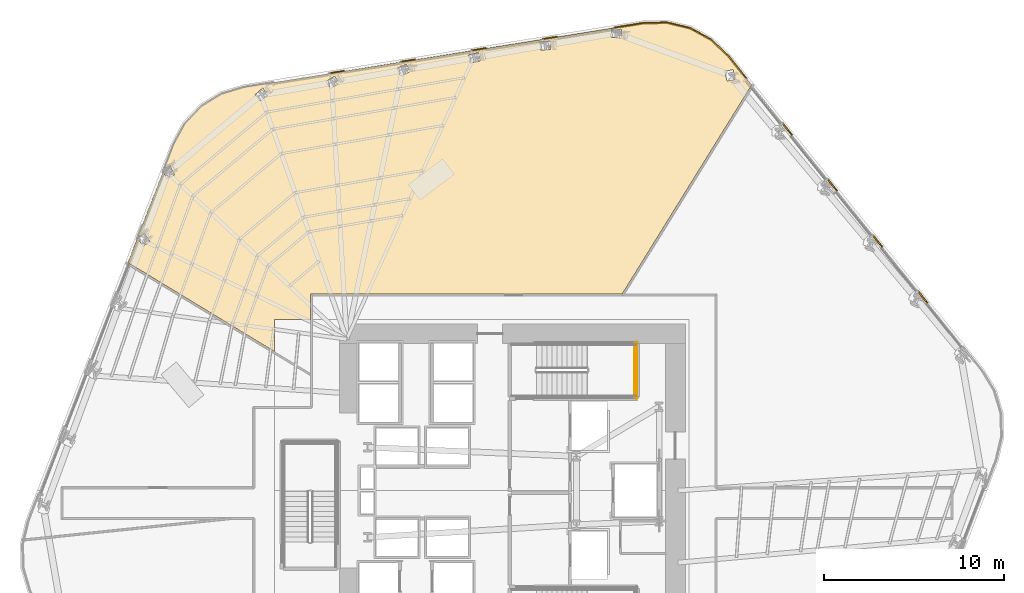
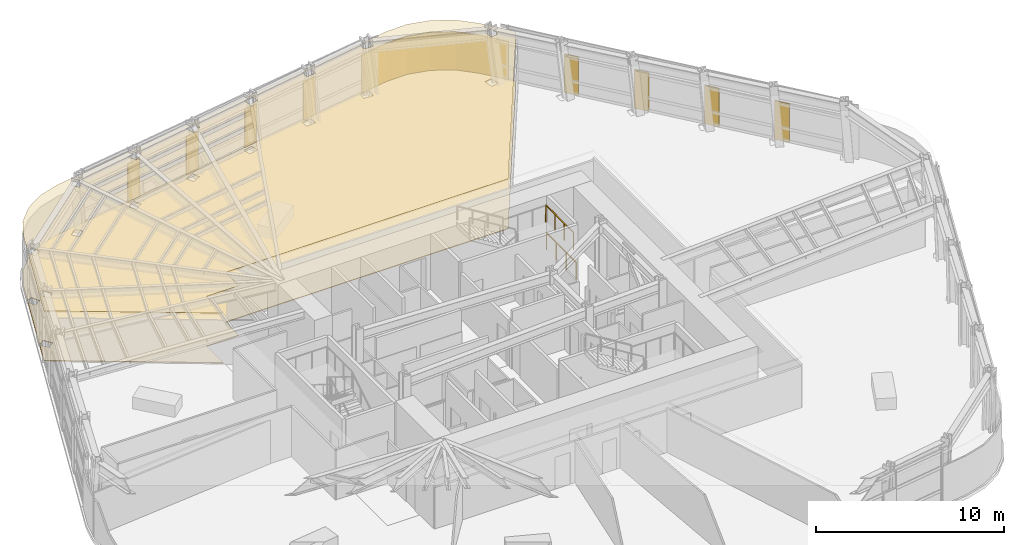
# One storey, part 15 of 16: 11 coverings, 2 railings.
"""IFC4 building model written with IfcOpenShell, lengths in metres."""

from ifc_helpers import new_model, si_unit, direction, frame, origin, origin_2d, place, context, subcontext, project, spatial, polyline, circle, outline, extrude, material, layer, layer_set, type_object, element, save


model = new_model("IFC4")

# Units and contexts
model_context = context("Model", 3, precision=1e-05, world=origin(), true_north=direction((0.0, 1.0)))
body_context = subcontext(model_context, "Body", "Model", "MODEL_VIEW")
ifc_project = project(units=[si_unit("LENGTHUNIT", "METRE"), si_unit("AREAUNIT", "SQUARE_METRE"), si_unit("VOLUMEUNIT", "CUBIC_METRE"), si_unit("PLANEANGLEUNIT", "RADIAN"), si_unit("MASSUNIT", "GRAM", prefix="KILO")], contexts=[model_context])

# Site, building, storey
site_placement = place(None, origin())
site = spatial("IfcSite", under=ifc_project, at=site_placement, CompositionType="ELEMENT")
building_placement = place(site_placement, origin())
building = spatial("IfcBuilding", under=site, at=building_placement, Name="Valkerne Bourse Tower", CompositionType="ELEMENT")
storey_placement = place(building_placement, frame((0.0, 0.0, 62.0)))
storey = spatial("IfcBuildingStorey", under=building, at=storey_placement, Name="L15", CompositionType="ELEMENT", Elevation=62.0)

# Coverings
ifc_material_1 = material(Name="Mineral Fiber Acoustic Ceiling Tile", Category="acoustic")
ifc_layer_1 = layer(ifc_material_1, 0.02490234375)
ifc_layer_set_1 = layer_set([ifc_layer_1], Name="Mineral Fiber Acoustic Ceiling Tile")
covering_type_1 = type_object("IfcCoveringType", Name="COV-CEIL-ACT", PredefinedType="CEILING", material=ifc_layer_set_1)
covering_1_placement = place(storey_placement, frame((0.0, 0.0, 3.22998046875)))
element("IfcCovering", 1, at=covering_1_placement, inside=storey, type_object=covering_type_1, Name="L15 Suspended Ceiling 08", PredefinedType="CEILING", context=body_context, shape_type="SweptSolid", body=[
    extrude(outline(polyline([(29.52490234375, 48.3330078125), (30.650146484375, 49.0224609375), (31.924560546875, 49.39990234375), (54.04248046875, 52.94384765625), (55.370849609375, 52.978759765625), (56.654052734375, 52.670654296875), (57.813720703125, 52.041015625), (58.777587890625, 51.126220703125), (60.08056640625, 49.51123046875), (52.89697265625, 37.9189453125), (35.632568359375, 37.9169921875), (35.5947265625, 37.8916015625), (35.5810546875, 37.8505859375), (35.5810546875, 36.5), (33.60009765625, 36.5), (33.60009765625, 34.7119140625), (25.453125, 39.65380859375), (25.982421875, 41.025146484375), (26.2919921875, 40.5751953125), (26.668212890625, 40.832275390625), (26.670166015625, 40.835205078125), (26.354736328125, 41.293212890625), (25.989501953125, 41.043701171875), (27.4189453125, 44.74755859375), (27.620849609375, 44.33349609375), (28.03076171875, 44.531494140625), (28.033447265625, 44.5341796875), (27.789794921875, 45.0341796875), (27.469970703125, 44.8798828125), (27.982421875, 46.20751953125), (28.61669921875, 47.375732421875), (29.52490234375, 48.3330078125)]), holes=[polyline([(32.820068359375, 48.634765625), (33.2373046875, 48.998291015625), (32.9375, 49.34375), (32.93408203125, 49.341796875), (32.51708984375, 48.978271484375), (32.81689453125, 48.6328125), (32.820068359375, 48.634765625)]), polyline([(36.7060546875, 49.3251953125), (37.173095703125, 49.622802734375), (36.927734375, 50.0087890625), (36.92431640625, 50.007568359375), (36.45751953125, 49.7099609375), (36.70263671875, 49.323486328125), (36.7060546875, 49.3251953125)]), polyline([(40.59033203125, 50.02490234375), (41.099365234375, 50.243896484375), (40.919189453125, 50.664306640625), (40.916015625, 50.66357421875), (40.406982421875, 50.44482421875), (40.5869140625, 50.024169921875), (40.59033203125, 50.02490234375)]), polyline([(45.015869140625, 50.865966796875), (44.907958984375, 51.310546875), (44.904296875, 51.310302734375), (44.366455078125, 51.1787109375), (44.474365234375, 50.734130859375), (44.477783203125, 50.734619140625), (45.015869140625, 50.865966796875)]), polyline([(48.924560546875, 51.493896484375), (48.889404296875, 51.9501953125), (48.8857421875, 51.9501953125), (48.333740234375, 51.906982421875), (48.368896484375, 51.45068359375), (48.37255859375, 51.450439453125), (48.924560546875, 51.493896484375)]), polyline([(52.86181640625, 52.58642578125), (52.85791015625, 52.58740234375), (52.305908203125, 52.626708984375), (52.272705078125, 52.17041015625), (52.2763671875, 52.16943359375), (52.828369140625, 52.130126953125), (52.86181640625, 52.58642578125)]), polyline([(59.15869140625, 49.822265625), (59.053955078125, 50.36767578125), (59.05078125, 50.369384765625), (58.603271484375, 50.281005859375), (58.7080078125, 49.735595703125), (58.711181640625, 49.73388671875), (59.15869140625, 49.822265625)])]), origin(), (0.0, 0.0, 1.0), 0.02490234375),
])
ifc_material_2 = material(Name="Bronze Anodised Aluminium AA 6063-T6", Category="aluminium")
ifc_layer_2 = layer(ifc_material_2, 0.06005859375)
ifc_layer_set_2 = layer_set([ifc_layer_2], Name="Bronze Anodised Aluminium AA 6063-T6")
covering_type_2 = type_object("IfcCoveringType", Name="COV-CRN-ALUM", PredefinedType="CLADDING", material=ifc_layer_set_2)
covering_2_placement = place(storey_placement, origin())
element("IfcCovering", 2, at=covering_2_placement, inside=storey, type_object=covering_type_2, Name="L15 Wind-Shaped Corner Aluminium Cladding 17", PredefinedType="CLADDING", context=body_context, shape_type="SweptSolid", body=[
    extrude(outline(polyline([(37.461181640625, 50.33154296875), (37.4736328125, 50.252685546875), (36.644287109375, 50.11962890625), (36.631591796875, 50.19873046875), (37.461181640625, 50.33154296875)])), origin(), (0.0, 0.0, 1.0), 2.5),
])
covering_3_placement = place(storey_placement, origin())
element("IfcCovering", 3, at=covering_3_placement, inside=storey, type_object=covering_type_2, Name="L15 Wind-Shaped Corner Aluminium Cladding 18", PredefinedType="CLADDING", context=body_context, shape_type="SweptSolid", body=[
    extrude(outline(polyline([(41.40673828125, 50.9638671875), (41.419189453125, 50.884765625), (40.58984375, 50.751953125), (40.577392578125, 50.830810546875), (41.40673828125, 50.9638671875)])), origin(), (0.0, 0.0, 1.0), 2.5),
])
covering_4_placement = place(storey_placement, origin())
element("IfcCovering", 4, at=covering_4_placement, inside=storey, type_object=covering_type_2, Name="L15 Wind-Shaped Corner Aluminium Cladding 19", PredefinedType="CLADDING", context=body_context, shape_type="SweptSolid", body=[
    extrude(outline(polyline([(45.352294921875, 51.595947265625), (45.364990234375, 51.51708984375), (44.53564453125, 51.384033203125), (44.523193359375, 51.463134765625), (45.352294921875, 51.595947265625)])), origin(), (0.0, 0.0, 1.0), 2.5),
])
covering_5_placement = place(storey_placement, origin())
element("IfcCovering", 5, at=covering_5_placement, inside=storey, type_object=covering_type_2, Name="L15 Wind-Shaped Corner Aluminium Cladding 20", PredefinedType="CLADDING", context=body_context, shape_type="SweptSolid", body=[
    extrude(outline(polyline([(49.298095703125, 52.228271484375), (49.310546875, 52.149169921875), (48.481201171875, 52.016357421875), (48.46875, 52.095458984375), (49.298095703125, 52.228271484375)])), origin(), (0.0, 0.0, 1.0), 2.5),
])
covering_6_placement = place(storey_placement, origin())
element("IfcCovering", 6, at=covering_6_placement, inside=storey, type_object=covering_type_2, Name="L15 Wind-Shaped Corner Aluminium Cladding 21", PredefinedType="CLADDING", context=body_context, shape_type="SweptSolid", body=[
    extrude(outline(polyline([(54.038330078125, 52.98779296875), (55.37548828125, 53.02294921875), (56.669921875, 52.712158203125), (57.83984375, 52.076904296875), (58.81005859375, 51.156005859375), (59.8427734375, 49.876220703125), (59.780517578125, 49.82568359375), (58.751220703125, 51.101806640625), (57.79248046875, 52.01171875), (56.64111328125, 52.63671875), (55.3671875, 52.942626953125), (54.0458984375, 52.907958984375), (52.427001953125, 52.648681640625), (52.414306640625, 52.7275390625), (54.038330078125, 52.98779296875)])), origin(), (0.0, 0.0, 1.0), 2.5),
])
covering_7_placement = place(storey_placement, origin())
element("IfcCovering", 7, at=covering_7_placement, inside=storey, type_object=covering_type_2, Name="L15 Wind-Shaped Corner Aluminium Cladding 22", PredefinedType="CLADDING", context=body_context, shape_type="SweptSolid", body=[
    extrude(outline(polyline([(62.351806640625, 46.76611328125), (62.289794921875, 46.7158203125), (61.76220703125, 47.36962890625), (61.824462890625, 47.419921875), (62.351806640625, 46.76611328125)])), origin(), (0.0, 0.0, 1.0), 2.5),
])
covering_8_placement = place(storey_placement, origin())
element("IfcCovering", 8, at=covering_8_placement, inside=storey, type_object=covering_type_2, Name="L15 Wind-Shaped Corner Aluminium Cladding 23", PredefinedType="CLADDING", context=body_context, shape_type="SweptSolid", body=[
    extrude(outline(polyline([(64.861083984375, 43.65625), (64.798828125, 43.605712890625), (64.271484375, 44.259521484375), (64.33349609375, 44.309814453125), (64.861083984375, 43.65625)])), origin(), (0.0, 0.0, 1.0), 2.5),
])
covering_9_placement = place(storey_placement, origin())
element("IfcCovering", 9, at=covering_9_placement, inside=storey, type_object=covering_type_2, Name="L15 Wind-Shaped Corner Aluminium Cladding 24", PredefinedType="CLADDING", context=body_context, shape_type="SweptSolid", body=[
    extrude(outline(polyline([(67.3701171875, 40.546142578125), (67.30810546875, 40.495849609375), (66.780517578125, 41.1494140625), (66.8427734375, 41.199951171875), (67.3701171875, 40.546142578125)])), origin(), (0.0, 0.0, 1.0), 2.5),
])
covering_10_placement = place(storey_placement, origin())
element("IfcCovering", 10, at=covering_10_placement, inside=storey, type_object=covering_type_2, Name="L15 Wind-Shaped Corner Aluminium Cladding 25", PredefinedType="CLADDING", context=body_context, shape_type="SweptSolid", body=[
    extrude(outline(polyline([(69.87939453125, 37.43603515625), (69.8173828125, 37.3857421875), (69.289794921875, 38.03955078125), (69.35205078125, 38.08984375), (69.87939453125, 37.43603515625)])), origin(), (0.0, 0.0, 1.0), 2.5),
])
ifc_material_3 = material(Name="Galvanised Painted Steel", Category="steel")
ifc_layer_3 = layer(ifc_material_3, 0.044921875)
ifc_layer_set_3 = layer_set([ifc_layer_3], Name="Galvanised Painted Steel")
covering_type_3 = type_object("IfcCoveringType", Name="COV-FLR-RAF", PredefinedType="FLOORING", material=ifc_layer_set_3)
covering_11_placement = place(storey_placement, origin())
element("IfcCovering", 11, at=covering_11_placement, inside=storey, type_object=covering_type_3, Name="L15 Floor Finish 08", PredefinedType="FLOORING", context=body_context, shape_type="SweptSolid", body=[
    extrude(outline(polyline([(29.52490234375, 48.3330078125), (30.650146484375, 49.0224609375), (31.924560546875, 49.39990234375), (54.04248046875, 52.94384765625), (55.370849609375, 52.978759765625), (56.654052734375, 52.670654296875), (57.813720703125, 52.041015625), (58.777587890625, 51.126220703125), (60.08056640625, 49.51123046875), (52.89697265625, 37.9189453125), (35.632568359375, 37.9169921875), (35.5947265625, 37.8916015625), (35.5810546875, 37.8505859375), (35.5810546875, 36.5), (33.60009765625, 36.5), (33.60009765625, 34.7119140625), (25.453125, 39.65380859375), (25.982421875, 41.025146484375), (26.2919921875, 40.5751953125), (26.668212890625, 40.832275390625), (26.670166015625, 40.835205078125), (26.354736328125, 41.293212890625), (25.989501953125, 41.043701171875), (27.4189453125, 44.74755859375), (27.620849609375, 44.33349609375), (28.03076171875, 44.531494140625), (28.033447265625, 44.5341796875), (27.789794921875, 45.0341796875), (27.469970703125, 44.8798828125), (27.982421875, 46.20751953125), (28.61669921875, 47.375732421875), (29.52490234375, 48.3330078125)]), holes=[polyline([(32.820068359375, 48.634765625), (33.2373046875, 48.998291015625), (32.9375, 49.34375), (32.93408203125, 49.341796875), (32.51708984375, 48.978271484375), (32.81689453125, 48.6328125), (32.820068359375, 48.634765625)]), polyline([(36.7060546875, 49.3251953125), (37.173095703125, 49.622802734375), (36.927734375, 50.0087890625), (36.92431640625, 50.007568359375), (36.45751953125, 49.7099609375), (36.70263671875, 49.323486328125), (36.7060546875, 49.3251953125)]), polyline([(40.59033203125, 50.02490234375), (41.099365234375, 50.243896484375), (40.919189453125, 50.664306640625), (40.916015625, 50.66357421875), (40.406982421875, 50.44482421875), (40.5869140625, 50.024169921875), (40.59033203125, 50.02490234375)]), polyline([(45.015869140625, 50.865966796875), (44.907958984375, 51.310546875), (44.904296875, 51.310302734375), (44.366455078125, 51.1787109375), (44.474365234375, 50.734130859375), (44.477783203125, 50.734619140625), (45.015869140625, 50.865966796875)]), polyline([(48.924560546875, 51.493896484375), (48.889404296875, 51.9501953125), (48.8857421875, 51.9501953125), (48.333740234375, 51.906982421875), (48.368896484375, 51.45068359375), (48.37255859375, 51.450439453125), (48.924560546875, 51.493896484375)]), polyline([(52.86181640625, 52.58642578125), (52.85791015625, 52.58740234375), (52.305908203125, 52.626708984375), (52.272705078125, 52.17041015625), (52.2763671875, 52.16943359375), (52.828369140625, 52.130126953125), (52.86181640625, 52.58642578125)]), polyline([(59.15869140625, 49.822265625), (59.053955078125, 50.36767578125), (59.05078125, 50.369384765625), (58.603271484375, 50.281005859375), (58.7080078125, 49.735595703125), (58.711181640625, 49.73388671875), (59.15869140625, 49.822265625)])]), origin(), (0.0, 0.0, 1.0), 0.044921875),
])

# Railings
railing_type = type_object("IfcRailingType", Name="RLG-ST-GUARD-1120", PredefinedType="GUARDRAIL", material=ifc_material_3)
railing_1_placement = place(storey_placement, frame((53.60009765625, 32.199951171875, 1.89990234375)))
element("IfcRailing", 12, at=railing_1_placement, inside=storey, type_object=railing_type, Name="L15 ST-2 stair guard 5", PredefinedType="GUARDRAIL", context=body_context, shape_type="SweptSolid", body=[
    extrude(circle(Radius=0.02392578125, at=origin_2d()), frame((0.0, 0.0, 1.09619140625), z_axis=(0.0, 1.0, 0.0), x_axis=(-1.0, 0.0, 0.0)), (0.0, 0.0, 1.0), 2.949951171875),
    extrude(circle(Radius=0.02099609375, at=origin_2d()), origin(), (0.0, 0.0, 1.0), 1.072021484375),
    extrude(circle(Radius=0.02099609375, at=origin_2d()), frame((0.0, 0.9833984375, 0.0)), (0.0, 0.0, 1.0), 1.072021484375),
    extrude(circle(Radius=0.02099609375, at=origin_2d()), frame((0.0, 1.966552734375, 0.0)), (0.0, 0.0, 1.0), 1.072021484375),
    extrude(circle(Radius=0.02099609375, at=origin_2d()), frame((0.0, 2.949951171875, 0.0)), (0.0, 0.0, 1.0), 1.072021484375),
])
railing_2_placement = place(storey_placement, frame((53.699951171875, 32.10009765625, 0.0)))
element("IfcRailing", 13, at=railing_2_placement, inside=storey, type_object=railing_type, Name="L15 ST-2 stair guard 12", PredefinedType="GUARDRAIL", context=body_context, shape_type="SweptSolid", body=[
    extrude(circle(Radius=0.02392578125, at=origin_2d()), frame((0.0, 0.0, 1.09619140625), z_axis=(0.0, 1.0, 0.0), x_axis=(-1.0, 0.0, 0.0)), (0.0, 0.0, 1.0), 3.14990234375),
    extrude(circle(Radius=0.02099609375, at=origin_2d()), origin(), (0.0, 0.0, 1.0), 1.072021484375),
    extrude(circle(Radius=0.02099609375, at=origin_2d()), frame((0.0, 1.050048828125, 0.0)), (0.0, 0.0, 1.0), 1.072021484375),
    extrude(circle(Radius=0.02099609375, at=origin_2d()), frame((0.0, 2.099853515625, 0.0)), (0.0, 0.0, 1.0), 1.072021484375),
    extrude(circle(Radius=0.02099609375, at=origin_2d()), frame((0.0, 3.14990234375, 0.0)), (0.0, 0.0, 1.0), 1.072021484375),
])

save(model, "model.ifc")
